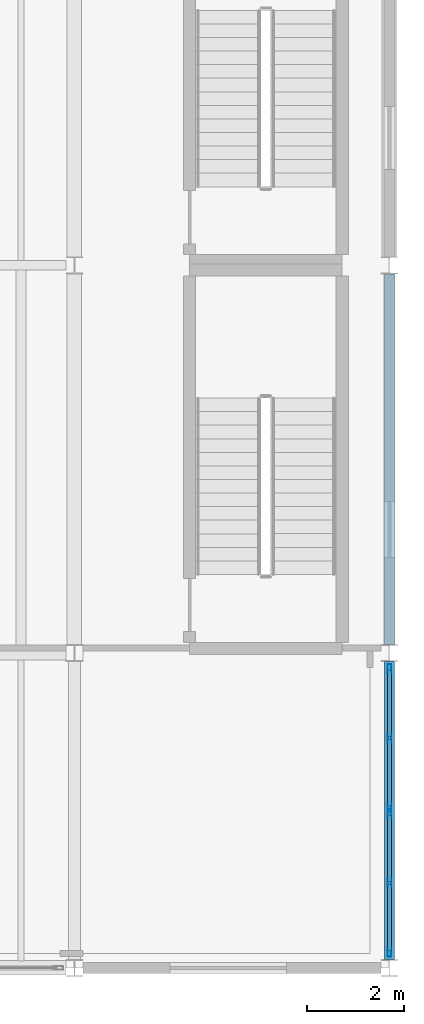
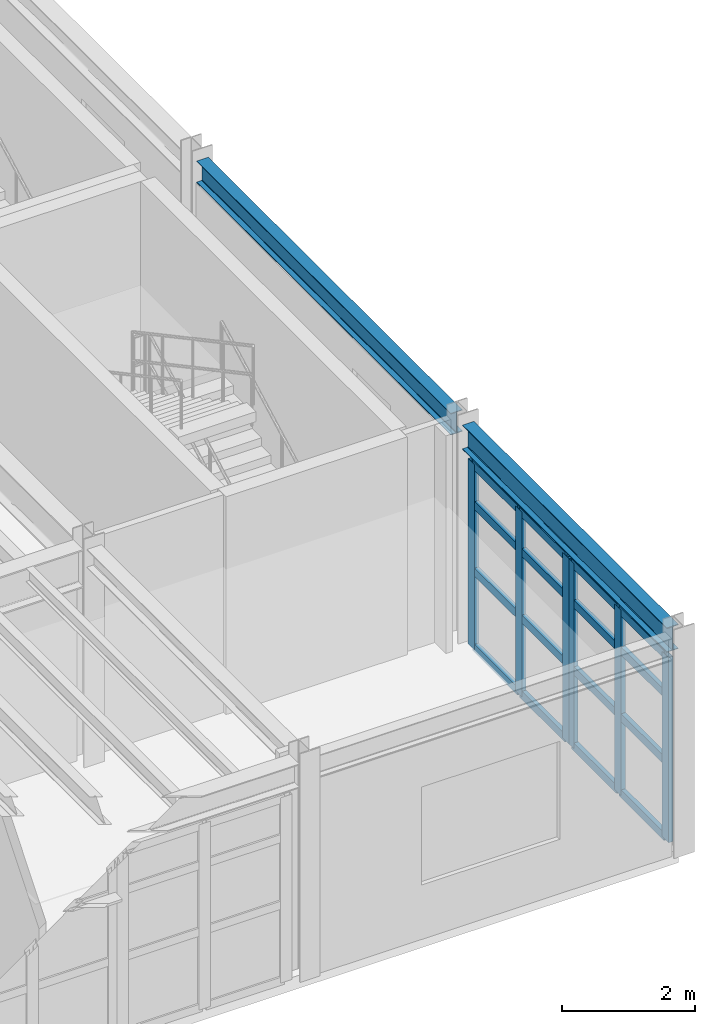
# One storey, part 35 of 77: 22 members, 2 beams, 2 elements without a shape of their own.
"""IFC4 building model written with IfcOpenShell, lengths in metres."""

from ifc_helpers import new_model, si_unit, direction, frame, origin, origin_2d, place, context, subcontext, project, spatial, hollow_rectangle, i_section, extrude, material, material_profile, profile_set, type_object, element, aggregate, save


model = new_model("IFC4")

# Units and contexts
model_context = context("Model", 3, precision=1e-05, world=origin(), true_north=direction((0.0, 1.0)))
body_context = subcontext(model_context, "Body", "Model", "MODEL_VIEW")
ifc_project = project(units=[si_unit("LENGTHUNIT", "METRE"), si_unit("AREAUNIT", "SQUARE_METRE"), si_unit("VOLUMEUNIT", "CUBIC_METRE"), si_unit("PLANEANGLEUNIT", "RADIAN"), si_unit("MASSUNIT", "GRAM", prefix="KILO"), si_unit("THERMODYNAMICTEMPERATUREUNIT", "KELVIN"), si_unit("POWERUNIT", "WATT")], contexts=[model_context])

# Site, building, storey
site_placement = place(None, origin())
site = spatial("IfcSite", under=ifc_project, at=site_placement, CompositionType="ELEMENT")
building_placement = place(site_placement, origin())
building = spatial("IfcBuilding", under=site, at=building_placement, Name="Zhenchuan Central Fire Station", CompositionType="ELEMENT")
storey_placement = place(building_placement, frame((0.0, 0.0, 10.050048828125)))
storey = spatial("IfcBuildingStorey", under=building, at=storey_placement, Name="L03", CompositionType="ELEMENT", Elevation=10.050048828125)

# Beam
ifc_material_1 = material(Name="Steel Q355B", Category="steel")
ifc_material_profile_1 = material_profile(ifc_material_1, i_section(OverallWidth=0.199951171875, OverallDepth=0.449951171875, WebThickness=0.009033203125, FlangeThickness=0.013916015625, FilletRadius=0.01806640625, at=origin_2d()), Name="HN 450x200")
ifc_profile_set_1 = profile_set([ifc_material_profile_1], Name="Steel Q355B")
beam_type_1 = type_object("IfcBeamType", Name="BM-HN450-EXT", PredefinedType="BEAM", material=ifc_profile_set_1)
beam_1_placement = place(storey_placement, frame((161.0, 0.175048828125, 3.77490234375), z_axis=(0.0, 1.0, 0.0), x_axis=(-1.0, 0.0, 0.0)))
element("IfcBeam", 1, at=beam_1_placement, inside=storey, type_object=beam_type_1, Name="L04 Girder NS 0423", PredefinedType="BEAM", context=body_context, shape_type="SweptSolid", body=[
    extrude(i_section(OverallWidth=0.199951171875, OverallDepth=0.449951171875, WebThickness=0.009033203125, FlangeThickness=0.013916015625, FilletRadius=0.01806640625, at=origin_2d()), origin(), (0.0, 0.0, 1.0), 6.14990234375),
])

# Curtain wall, members
ifc_material_2 = material(Name="Anodised aluminium and low-E glazing", Category="aluminium")
curtain_wall_type_1 = type_object("IfcCurtainWallType", Name="CW-MOD-03", PredefinedType="USERDEFINED", material=ifc_material_2)
curtain_wall_1_placement = place(storey_placement, origin())
curtain_wall_1 = element("IfcCurtainWall", 2, at=curtain_wall_1_placement, inside=storey, type_object=curtain_wall_type_1, Name="L03 Unitised Curtain Wall 104", ObjectType="UNITISED GLAZING", PredefinedType="USERDEFINED")
ifc_material_3 = material(Name="Anodised aluminium EN AW-6063", Category="aluminium")
ifc_material_profile_2 = material_profile(ifc_material_3, hollow_rectangle(XDim=0.074951171875, YDim=0.199951171875, WallThickness=0.0048828125, at=origin_2d()), Name="ALU-M 200x75")
ifc_profile_set_2 = profile_set([ifc_material_profile_2], Name="Anodised aluminium EN AW-6063")
member_type_1 = type_object("IfcMemberType", Name="CW-MUL160", PredefinedType="MULLION", material=ifc_profile_set_2)
member_1_placement = place(storey_placement, frame((161.0, 0.33251953125, -0.004150390625), z_axis=(0.0, 0.0, 1.0), x_axis=(-1.0, 0.0, 0.0)))
member_1 = element("IfcMember", 3, at=member_1_placement, type_object=member_type_1, Name="CW-03 mullion 1", PredefinedType="MULLION", context=body_context, shape_type="SweptSolid", body=[
    extrude(hollow_rectangle(XDim=0.074951171875, YDim=0.199951171875, WallThickness=0.0048828125, at=origin_2d()), origin(), (0.0, 0.0, 1.0), 3.404052734375),
])
member_2_placement = place(storey_placement, frame((161.0, 1.756103515625, -0.004150390625), z_axis=(0.0, 0.0, 1.0), x_axis=(-1.0, 0.0, 0.0)))
member_2 = element("IfcMember", 4, at=member_2_placement, type_object=member_type_1, Name="CW-03 mullion 2", PredefinedType="MULLION", context=body_context, shape_type="SweptSolid", body=[
    extrude(hollow_rectangle(XDim=0.074951171875, YDim=0.199951171875, WallThickness=0.0048828125, at=origin_2d()), origin(), (0.0, 0.0, 1.0), 3.404052734375),
])
member_3_placement = place(storey_placement, frame((161.0, 3.179443359375, -0.004150390625), z_axis=(0.0, 0.0, 1.0), x_axis=(-1.0, 0.0, 0.0)))
member_3 = element("IfcMember", 5, at=member_3_placement, type_object=member_type_1, Name="CW-03 mullion 3", PredefinedType="MULLION", context=body_context, shape_type="SweptSolid", body=[
    extrude(hollow_rectangle(XDim=0.074951171875, YDim=0.199951171875, WallThickness=0.0048828125, at=origin_2d()), origin(), (0.0, 0.0, 1.0), 3.404052734375),
])

curtain_wall_type_2 = type_object("IfcCurtainWallType", Name="CW-MOD-04", PredefinedType="USERDEFINED", material=ifc_material_2)
curtain_wall_2_placement = place(storey_placement, origin())
curtain_wall_2 = element("IfcCurtainWall", 6, at=curtain_wall_2_placement, inside=storey, type_object=curtain_wall_type_2, Name="L03 Unitised Curtain Wall 105", ObjectType="UNITISED GLAZING", PredefinedType="USERDEFINED")
member_4_placement = place(storey_placement, frame((161.0, 3.320556640625, -0.004150390625), z_axis=(0.0, 0.0, 1.0), x_axis=(-1.0, 0.0, 0.0)))
member_4 = element("IfcMember", 7, at=member_4_placement, type_object=member_type_1, Name="CW-04 mullion 1", PredefinedType="MULLION", context=body_context, shape_type="SweptSolid", body=[
    extrude(hollow_rectangle(XDim=0.074951171875, YDim=0.199951171875, WallThickness=0.0048828125, at=origin_2d()), origin(), (0.0, 0.0, 1.0), 3.404052734375),
])
member_5_placement = place(storey_placement, frame((161.0, 4.743896484375, -0.004150390625), z_axis=(0.0, 0.0, 1.0), x_axis=(-1.0, 0.0, 0.0)))
member_5 = element("IfcMember", 8, at=member_5_placement, type_object=member_type_1, Name="CW-04 mullion 2", PredefinedType="MULLION", context=body_context, shape_type="SweptSolid", body=[
    extrude(hollow_rectangle(XDim=0.074951171875, YDim=0.199951171875, WallThickness=0.0048828125, at=origin_2d()), origin(), (0.0, 0.0, 1.0), 3.404052734375),
])
member_6_placement = place(storey_placement, frame((161.0, 6.16748046875, -0.004150390625), z_axis=(0.0, 0.0, 1.0), x_axis=(-1.0, 0.0, 0.0)))
member_6 = element("IfcMember", 9, at=member_6_placement, type_object=member_type_1, Name="CW-04 mullion 3", PredefinedType="MULLION", context=body_context, shape_type="SweptSolid", body=[
    extrude(hollow_rectangle(XDim=0.074951171875, YDim=0.199951171875, WallThickness=0.0048828125, at=origin_2d()), origin(), (0.0, 0.0, 1.0), 3.404052734375),
])

# Member
ifc_material_profile_3 = material_profile(ifc_material_3, hollow_rectangle(XDim=0.074951171875, YDim=0.14990234375, WallThickness=0.0048828125, at=origin_2d()), Name="ALU-T 150x75")
ifc_profile_set_3 = profile_set([ifc_material_profile_3], Name="Anodised aluminium EN AW-6063")
member_type_2 = type_object("IfcMemberType", Name="CW-TRN130", PredefinedType="NOTDEFINED", material=ifc_profile_set_3)
member_7_placement = place(storey_placement, frame((161.0, 0.364990234375, 0.028564453125), z_axis=(0.0, 1.0, 0.0), x_axis=(-1.0, 0.0, 0.0)))
member_7 = element("IfcMember", 10, at=member_7_placement, type_object=member_type_2, Name="CW-03 transom 1.1", ObjectType="TRANSOM", PredefinedType="USERDEFINED", context=body_context, shape_type="SweptSolid", body=[
    extrude(hollow_rectangle(XDim=0.074951171875, YDim=0.14990234375, WallThickness=0.0048828125, at=origin_2d()), origin(), (0.0, 0.0, 1.0), 1.3583984375),
])

member_8_placement = place(storey_placement, frame((161.0, 0.364990234375, 1.427978515625), z_axis=(0.0, 1.0, 0.0), x_axis=(-1.0, 0.0, 0.0)))
member_8 = element("IfcMember", 11, at=member_8_placement, type_object=member_type_2, Name="CW-03 transom 1.2", ObjectType="TRANSOM", PredefinedType="USERDEFINED", context=body_context, shape_type="SweptSolid", body=[
    extrude(hollow_rectangle(XDim=0.074951171875, YDim=0.14990234375, WallThickness=0.0048828125, at=origin_2d()), origin(), (0.0, 0.0, 1.0), 1.3583984375),
])

member_9_placement = place(storey_placement, frame((161.0, 0.364990234375, 2.65185546875), z_axis=(0.0, 1.0, 0.0), x_axis=(-1.0, 0.0, 0.0)))
member_9 = element("IfcMember", 12, at=member_9_placement, type_object=member_type_2, Name="CW-03 transom 1.3", ObjectType="TRANSOM", PredefinedType="USERDEFINED", context=body_context, shape_type="SweptSolid", body=[
    extrude(hollow_rectangle(XDim=0.074951171875, YDim=0.14990234375, WallThickness=0.0048828125, at=origin_2d()), origin(), (0.0, 0.0, 1.0), 1.3583984375),
])

member_10_placement = place(storey_placement, frame((161.0, 0.364990234375, 3.367431640625), z_axis=(0.0, 1.0, 0.0), x_axis=(-1.0, 0.0, 0.0)))
member_10 = element("IfcMember", 13, at=member_10_placement, type_object=member_type_2, Name="CW-03 transom 1.4", ObjectType="TRANSOM", PredefinedType="USERDEFINED", context=body_context, shape_type="SweptSolid", body=[
    extrude(hollow_rectangle(XDim=0.074951171875, YDim=0.14990234375, WallThickness=0.0048828125, at=origin_2d()), origin(), (0.0, 0.0, 1.0), 1.3583984375),
])

member_11_placement = place(storey_placement, frame((161.0, 1.78857421875, 0.028564453125), z_axis=(0.0, 1.0, 0.0), x_axis=(-1.0, 0.0, 0.0)))
member_11 = element("IfcMember", 14, at=member_11_placement, type_object=member_type_2, Name="CW-03 transom 2.1", ObjectType="TRANSOM", PredefinedType="USERDEFINED", context=body_context, shape_type="SweptSolid", body=[
    extrude(hollow_rectangle(XDim=0.074951171875, YDim=0.14990234375, WallThickness=0.0048828125, at=origin_2d()), origin(), (0.0, 0.0, 1.0), 1.3583984375),
])

member_12_placement = place(storey_placement, frame((161.0, 1.78857421875, 1.427978515625), z_axis=(0.0, 1.0, 0.0), x_axis=(-1.0, 0.0, 0.0)))
member_12 = element("IfcMember", 15, at=member_12_placement, type_object=member_type_2, Name="CW-03 transom 2.2", ObjectType="TRANSOM", PredefinedType="USERDEFINED", context=body_context, shape_type="SweptSolid", body=[
    extrude(hollow_rectangle(XDim=0.074951171875, YDim=0.14990234375, WallThickness=0.0048828125, at=origin_2d()), origin(), (0.0, 0.0, 1.0), 1.3583984375),
])

member_13_placement = place(storey_placement, frame((161.0, 1.78857421875, 2.65185546875), z_axis=(0.0, 1.0, 0.0), x_axis=(-1.0, 0.0, 0.0)))
member_13 = element("IfcMember", 16, at=member_13_placement, type_object=member_type_2, Name="CW-03 transom 2.3", ObjectType="TRANSOM", PredefinedType="USERDEFINED", context=body_context, shape_type="SweptSolid", body=[
    extrude(hollow_rectangle(XDim=0.074951171875, YDim=0.14990234375, WallThickness=0.0048828125, at=origin_2d()), origin(), (0.0, 0.0, 1.0), 1.3583984375),
])

member_14_placement = place(storey_placement, frame((161.0, 1.78857421875, 3.367431640625), z_axis=(0.0, 1.0, 0.0), x_axis=(-1.0, 0.0, 0.0)))
member_14 = element("IfcMember", 17, at=member_14_placement, type_object=member_type_2, Name="CW-03 transom 2.4", ObjectType="TRANSOM", PredefinedType="USERDEFINED", context=body_context, shape_type="SweptSolid", body=[
    extrude(hollow_rectangle(XDim=0.074951171875, YDim=0.14990234375, WallThickness=0.0048828125, at=origin_2d()), origin(), (0.0, 0.0, 1.0), 1.3583984375),
])

aggregate(curtain_wall_1, [member_1, member_2, member_3, member_7, member_8, member_9, member_10, member_11, member_12, member_13, member_14])

member_15_placement = place(storey_placement, frame((161.0, 3.35302734375, 0.028564453125), z_axis=(0.0, 1.0, 0.0), x_axis=(-1.0, 0.0, 0.0)))
member_15 = element("IfcMember", 18, at=member_15_placement, type_object=member_type_2, Name="CW-04 transom 1.1", ObjectType="TRANSOM", PredefinedType="USERDEFINED", context=body_context, shape_type="SweptSolid", body=[
    extrude(hollow_rectangle(XDim=0.074951171875, YDim=0.14990234375, WallThickness=0.0048828125, at=origin_2d()), origin(), (0.0, 0.0, 1.0), 1.3583984375),
])

member_16_placement = place(storey_placement, frame((161.0, 3.35302734375, 1.427978515625), z_axis=(0.0, 1.0, 0.0), x_axis=(-1.0, 0.0, 0.0)))
member_16 = element("IfcMember", 19, at=member_16_placement, type_object=member_type_2, Name="CW-04 transom 1.2", ObjectType="TRANSOM", PredefinedType="USERDEFINED", context=body_context, shape_type="SweptSolid", body=[
    extrude(hollow_rectangle(XDim=0.074951171875, YDim=0.14990234375, WallThickness=0.0048828125, at=origin_2d()), origin(), (0.0, 0.0, 1.0), 1.3583984375),
])

member_17_placement = place(storey_placement, frame((161.0, 3.35302734375, 2.65185546875), z_axis=(0.0, 1.0, 0.0), x_axis=(-1.0, 0.0, 0.0)))
member_17 = element("IfcMember", 20, at=member_17_placement, type_object=member_type_2, Name="CW-04 transom 1.3", ObjectType="TRANSOM", PredefinedType="USERDEFINED", context=body_context, shape_type="SweptSolid", body=[
    extrude(hollow_rectangle(XDim=0.074951171875, YDim=0.14990234375, WallThickness=0.0048828125, at=origin_2d()), origin(), (0.0, 0.0, 1.0), 1.3583984375),
])

member_18_placement = place(storey_placement, frame((161.0, 3.35302734375, 3.367431640625), z_axis=(0.0, 1.0, 0.0), x_axis=(-1.0, 0.0, 0.0)))
member_18 = element("IfcMember", 21, at=member_18_placement, type_object=member_type_2, Name="CW-04 transom 1.4", ObjectType="TRANSOM", PredefinedType="USERDEFINED", context=body_context, shape_type="SweptSolid", body=[
    extrude(hollow_rectangle(XDim=0.074951171875, YDim=0.14990234375, WallThickness=0.0048828125, at=origin_2d()), origin(), (0.0, 0.0, 1.0), 1.3583984375),
])

member_19_placement = place(storey_placement, frame((161.0, 4.776611328125, 0.028564453125), z_axis=(0.0, 1.0, 0.0), x_axis=(-1.0, 0.0, 0.0)))
member_19 = element("IfcMember", 22, at=member_19_placement, type_object=member_type_2, Name="CW-04 transom 2.1", ObjectType="TRANSOM", PredefinedType="USERDEFINED", context=body_context, shape_type="SweptSolid", body=[
    extrude(hollow_rectangle(XDim=0.074951171875, YDim=0.14990234375, WallThickness=0.0048828125, at=origin_2d()), origin(), (0.0, 0.0, 1.0), 1.3583984375),
])

member_20_placement = place(storey_placement, frame((161.0, 4.776611328125, 1.427978515625), z_axis=(0.0, 1.0, 0.0), x_axis=(-1.0, 0.0, 0.0)))
member_20 = element("IfcMember", 23, at=member_20_placement, type_object=member_type_2, Name="CW-04 transom 2.2", ObjectType="TRANSOM", PredefinedType="USERDEFINED", context=body_context, shape_type="SweptSolid", body=[
    extrude(hollow_rectangle(XDim=0.074951171875, YDim=0.14990234375, WallThickness=0.0048828125, at=origin_2d()), origin(), (0.0, 0.0, 1.0), 1.3583984375),
])

member_21_placement = place(storey_placement, frame((161.0, 4.776611328125, 2.65185546875), z_axis=(0.0, 1.0, 0.0), x_axis=(-1.0, 0.0, 0.0)))
member_21 = element("IfcMember", 24, at=member_21_placement, type_object=member_type_2, Name="CW-04 transom 2.3", ObjectType="TRANSOM", PredefinedType="USERDEFINED", context=body_context, shape_type="SweptSolid", body=[
    extrude(hollow_rectangle(XDim=0.074951171875, YDim=0.14990234375, WallThickness=0.0048828125, at=origin_2d()), origin(), (0.0, 0.0, 1.0), 1.3583984375),
])

member_22_placement = place(storey_placement, frame((161.0, 4.776611328125, 3.367431640625), z_axis=(0.0, 1.0, 0.0), x_axis=(-1.0, 0.0, 0.0)))
member_22 = element("IfcMember", 25, at=member_22_placement, type_object=member_type_2, Name="CW-04 transom 2.4", ObjectType="TRANSOM", PredefinedType="USERDEFINED", context=body_context, shape_type="SweptSolid", body=[
    extrude(hollow_rectangle(XDim=0.074951171875, YDim=0.14990234375, WallThickness=0.0048828125, at=origin_2d()), origin(), (0.0, 0.0, 1.0), 1.3583984375),
])

aggregate(curtain_wall_2, [member_4, member_5, member_6, member_15, member_16, member_17, member_18, member_19, member_20, member_21, member_22])

# Beam
ifc_material_profile_4 = material_profile(ifc_material_1, i_section(OverallWidth=0.199951171875, OverallDepth=0.39990234375, WebThickness=0.008056640625, FlangeThickness=0.012939453125, FilletRadius=0.01611328125, at=origin_2d()), Name="HN 400x200")
ifc_profile_set_4 = profile_set([ifc_material_profile_4], Name="Steel Q355B")
beam_type_2 = type_object("IfcBeamType", Name="SP-HN400", PredefinedType="SPANDREL", material=ifc_profile_set_4)
beam_2_placement = place(storey_placement, frame((161.0, 6.675048828125, 3.800048828125), z_axis=(0.0, 1.0, 0.0), x_axis=(-1.0, 0.0, 0.0)))
element("IfcBeam", 26, at=beam_2_placement, inside=storey, type_object=beam_type_2, Name="L04 Girder NS 0424", PredefinedType="SPANDREL", context=body_context, shape_type="SweptSolid", body=[
    extrude(i_section(OverallWidth=0.199951171875, OverallDepth=0.39990234375, WebThickness=0.008056640625, FlangeThickness=0.012939453125, FilletRadius=0.01611328125, at=origin_2d()), origin(), (0.0, 0.0, 1.0), 7.64990234375),
])

save(model, "model.ifc")
